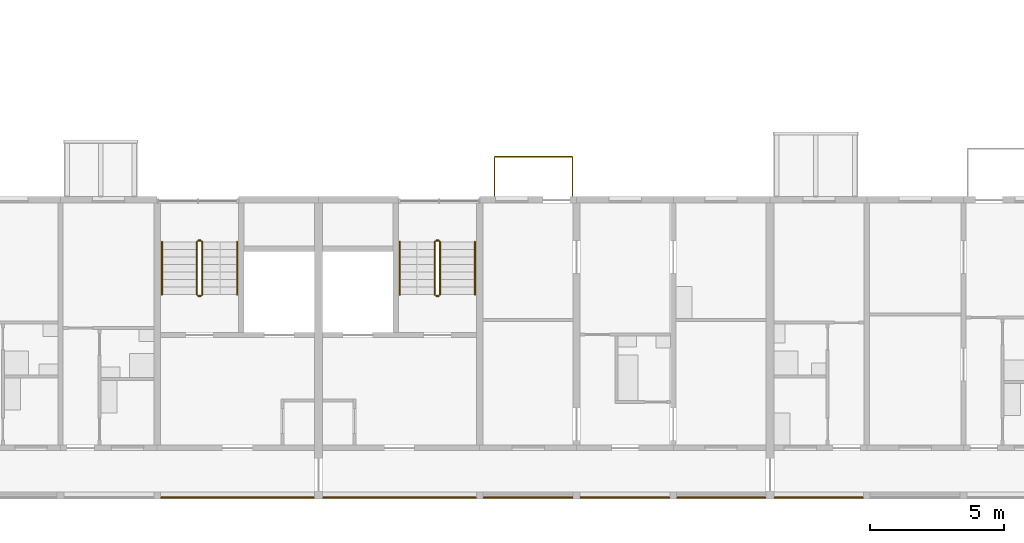
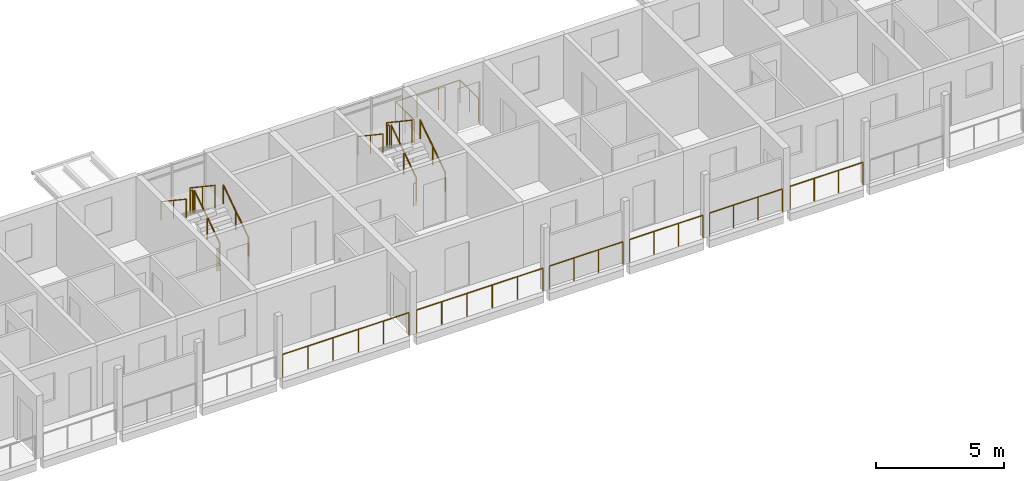
# One storey, part 72 of 93: 19 railings.
"""IFC4 building model written with IfcOpenShell, lengths in metres."""

from ifc_helpers import new_model, si_unit, direction, frame, origin, origin_2d, place, context, subcontext, project, spatial, circle, extrude, material, type_object, element, save


model = new_model("IFC4")

# Units and contexts
model_context = context("Model", 3, precision=1e-05, world=origin(), true_north=direction((0.0, 1.0)))
body_context = subcontext(model_context, "Body", "Model", "MODEL_VIEW")
ifc_project = project(units=[si_unit("LENGTHUNIT", "METRE"), si_unit("AREAUNIT", "SQUARE_METRE"), si_unit("VOLUMEUNIT", "CUBIC_METRE"), si_unit("PLANEANGLEUNIT", "RADIAN"), si_unit("MASSUNIT", "GRAM", prefix="KILO")], contexts=[model_context])

# Site, building, storey
site_placement = place(None, origin())
site = spatial("IfcSite", under=ifc_project, at=site_placement, CompositionType="ELEMENT")
building_placement = place(site_placement, origin())
building = spatial("IfcBuilding", under=site, at=building_placement, Name="Ridgestep Commons", CompositionType="ELEMENT")
storey_placement = place(building_placement, frame((0.0, 0.0, 18.0)))
storey = spatial("IfcBuildingStorey", under=building, at=storey_placement, Name="L06", CompositionType="ELEMENT", Elevation=18.0)

# Railings
ifc_material_1 = material(Name="Structural steel S355JR", Category="steel")
railing_type_1 = type_object("IfcRailingType", Name="Guard 1100", PredefinedType="GUARDRAIL", material=ifc_material_1)
railing_1_placement = place(storey_placement, frame((39.74609375, 11.800048828125, 0.0)))
element("IfcRailing", 1, at=railing_1_placement, inside=storey, type_object=railing_type_1, Name="Gallery guard A 06.8", PredefinedType="GUARDRAIL", context=body_context, shape_type="SweptSolid", body=[
    extrude(circle(Radius=0.02392578125, at=origin_2d()), frame((0.0, 0.0, 1.076171875), z_axis=(1.0, 0.0, 0.0), x_axis=(0.0, 1.0, 0.0)), (0.0, 0.0, 1.0), 5.682861328125),
    extrude(circle(Radius=0.02099609375, at=origin_2d()), origin(), (0.0, 0.0, 1.0), 1.052001953125),
    extrude(circle(Radius=0.02099609375, at=origin_2d()), frame((1.136474609375, 0.0, 0.0)), (0.0, 0.0, 1.0), 1.052001953125),
    extrude(circle(Radius=0.02099609375, at=origin_2d()), frame((2.273193359375, 0.0, 0.0)), (0.0, 0.0, 1.0), 1.052001953125),
    extrude(circle(Radius=0.02099609375, at=origin_2d()), frame((3.40966796875, 0.0, 0.0)), (0.0, 0.0, 1.0), 1.052001953125),
    extrude(circle(Radius=0.02099609375, at=origin_2d()), frame((4.54638671875, 0.0, 0.0)), (0.0, 0.0, 1.0), 1.052001953125),
    extrude(circle(Radius=0.02099609375, at=origin_2d()), frame((5.682861328125, 0.0, 0.0)), (0.0, 0.0, 1.0), 1.052001953125),
])
railing_2_placement = place(storey_placement, frame((45.77099609375, 11.800048828125, 0.0)))
element("IfcRailing", 2, at=railing_2_placement, inside=storey, type_object=railing_type_1, Name="Gallery guard A 06.9", PredefinedType="GUARDRAIL", context=body_context, shape_type="SweptSolid", body=[
    extrude(circle(Radius=0.02392578125, at=origin_2d()), frame((0.0, 0.0, 1.076171875), z_axis=(1.0, 0.0, 0.0), x_axis=(0.0, 1.0, 0.0)), (0.0, 0.0, 1.0), 5.68310546875),
    extrude(circle(Radius=0.02099609375, at=origin_2d()), origin(), (0.0, 0.0, 1.0), 1.052001953125),
    extrude(circle(Radius=0.02099609375, at=origin_2d()), frame((1.13671875, 0.0, 0.0)), (0.0, 0.0, 1.0), 1.052001953125),
    extrude(circle(Radius=0.02099609375, at=origin_2d()), frame((2.273193359375, 0.0, 0.0)), (0.0, 0.0, 1.0), 1.052001953125),
    extrude(circle(Radius=0.02099609375, at=origin_2d()), frame((3.409912109375, 0.0, 0.0)), (0.0, 0.0, 1.0), 1.052001953125),
    extrude(circle(Radius=0.02099609375, at=origin_2d()), frame((4.54638671875, 0.0, 0.0)), (0.0, 0.0, 1.0), 1.052001953125),
    extrude(circle(Radius=0.02099609375, at=origin_2d()), frame((5.68310546875, 0.0, 0.0)), (0.0, 0.0, 1.0), 1.052001953125),
])
railing_3_placement = place(storey_placement, frame((51.74609375, 11.800048828125, 0.0)))
element("IfcRailing", 3, at=railing_3_placement, inside=storey, type_object=railing_type_1, Name="Gallery guard A 06.10", PredefinedType="GUARDRAIL", context=body_context, shape_type="SweptSolid", body=[
    extrude(circle(Radius=0.02392578125, at=origin_2d()), frame((0.0, 0.0, 1.076171875), z_axis=(1.0, 0.0, 0.0), x_axis=(0.0, 1.0, 0.0)), (0.0, 0.0, 1.0), 3.307861328125),
    extrude(circle(Radius=0.02099609375, at=origin_2d()), origin(), (0.0, 0.0, 1.0), 1.052001953125),
    extrude(circle(Radius=0.02099609375, at=origin_2d()), frame((1.1025390625, 0.0, 0.0)), (0.0, 0.0, 1.0), 1.052001953125),
    extrude(circle(Radius=0.02099609375, at=origin_2d()), frame((2.205322265625, 0.0, 0.0)), (0.0, 0.0, 1.0), 1.052001953125),
    extrude(circle(Radius=0.02099609375, at=origin_2d()), frame((3.307861328125, 0.0, 0.0)), (0.0, 0.0, 1.0), 1.052001953125),
])
railing_4_placement = place(storey_placement, frame((55.345947265625, 11.800048828125, 0.0)))
element("IfcRailing", 4, at=railing_4_placement, inside=storey, type_object=railing_type_1, Name="Gallery guard A 06.11", PredefinedType="GUARDRAIL", context=body_context, shape_type="SweptSolid", body=[
    extrude(circle(Radius=0.02392578125, at=origin_2d()), frame((0.0, 0.0, 1.076171875), z_axis=(1.0, 0.0, 0.0), x_axis=(0.0, 1.0, 0.0)), (0.0, 0.0, 1.0), 3.30810546875),
    extrude(circle(Radius=0.02099609375, at=origin_2d()), origin(), (0.0, 0.0, 1.0), 1.052001953125),
    extrude(circle(Radius=0.02099609375, at=origin_2d()), frame((1.102783203125, 0.0, 0.0)), (0.0, 0.0, 1.0), 1.052001953125),
    extrude(circle(Radius=0.02099609375, at=origin_2d()), frame((2.205322265625, 0.0, 0.0)), (0.0, 0.0, 1.0), 1.052001953125),
    extrude(circle(Radius=0.02099609375, at=origin_2d()), frame((3.30810546875, 0.0, 0.0)), (0.0, 0.0, 1.0), 1.052001953125),
])
for number, where, name in (
    (5, (58.946044921875, 11.800048828125, 0.0), "Gallery guard A 06.12"),
    (6, (62.571044921875, 11.800048828125, 0.0), "Gallery guard A 06.13"),
):
    element("IfcRailing", number, at=place(storey_placement, frame(where)), inside=storey, type_object=railing_type_1, Name=name, PredefinedType="GUARDRAIL", context=body_context, shape_type="SweptSolid", body=[
        extrude(circle(Radius=0.02392578125, at=origin_2d()), frame((0.0, 0.0, 1.076171875), z_axis=(1.0, 0.0, 0.0), x_axis=(0.0, 1.0, 0.0)), (0.0, 0.0, 1.0), 3.282958984375),
        extrude(circle(Radius=0.02099609375, at=origin_2d()), origin(), (0.0, 0.0, 1.0), 1.052001953125),
        extrude(circle(Radius=0.02099609375, at=origin_2d()), frame((1.09423828125, 0.0, 0.0)), (0.0, 0.0, 1.0), 1.052001953125),
        extrude(circle(Radius=0.02099609375, at=origin_2d()), frame((2.188720703125, 0.0, 0.0)), (0.0, 0.0, 1.0), 1.052001953125),
        extrude(circle(Radius=0.02099609375, at=origin_2d()), frame((3.282958984375, 0.0, 0.0)), (0.0, 0.0, 1.0), 1.052001953125),
    ])
ifc_material_2 = material(Name="Structural steel S355JR", Category="steel")
railing_type_2 = type_object("IfcRailingType", Name="Stair guard 1100", PredefinedType="GUARDRAIL", material=ifc_material_2)
railing_5_placement = place(storey_placement, frame((41.27490234375, 19.35009765625, 0.1875)))
element("IfcRailing", 7, at=railing_5_placement, inside=storey, type_object=railing_type_2, Name="L06 A2C stair guard 1", PredefinedType="GUARDRAIL", context=body_context, shape_type="SweptSolid", body=[
    extrude(circle(Radius=0.02392578125, at=origin_2d()), frame((0.0, 0.0, 1.076171875), z_axis=(0.0, 0.830902050051, 0.556418712142), x_axis=(-1.0, 0.0, 0.0)), (0.0, 0.0, 1.0), 2.35888671875),
    extrude(circle(Radius=0.02099609375, at=origin_2d()), origin(), (0.0, 0.0, 1.0), 1.052001953125),
    extrude(circle(Radius=0.02099609375, at=origin_2d()), frame((0.0, 0.97998046875, 0.65625)), (0.0, 0.0, 1.0), 1.052001953125),
    extrude(circle(Radius=0.02099609375, at=origin_2d()), frame((0.0, 1.9599609375, 1.3125)), (0.0, 0.0, 1.0), 1.052001953125),
])
railing_6_placement = place(storey_placement, frame((41.22509765625, 21.360107421875, 1.5)))
element("IfcRailing", 8, at=railing_6_placement, inside=storey, type_object=railing_type_2, Name="L06 A2C stair guard 2", PredefinedType="GUARDRAIL", context=body_context, shape_type="SweptSolid", body=[
    extrude(circle(Radius=0.02392578125, at=origin_2d()), frame((0.0, 0.0, 1.076171875), z_axis=(-1.0, 0.0, 0.0), x_axis=(0.0, -1.0, 0.0)), (0.0, 0.0, 1.0), 0.10009765625),
    extrude(circle(Radius=0.02099609375, at=origin_2d()), origin(), (0.0, 0.0, 1.0), 1.052001953125),
    extrude(circle(Radius=0.02099609375, at=origin_2d()), frame((-0.10009765625, 0.0, 0.0)), (0.0, 0.0, 1.0), 1.052001953125),
])
railing_7_placement = place(storey_placement, frame((41.074951171875, 21.31005859375, 1.6875)))
element("IfcRailing", 9, at=railing_7_placement, inside=storey, type_object=railing_type_2, Name="L06 A2C stair guard 3", PredefinedType="GUARDRAIL", context=body_context, shape_type="SweptSolid", body=[
    extrude(circle(Radius=0.02392578125, at=origin_2d()), frame((0.0, 0.0, 1.076171875), z_axis=(0.0, -0.830902050051, 0.556418712142), x_axis=(1.0, 0.0, 0.0)), (0.0, 0.0, 1.0), 2.35888671875),
    extrude(circle(Radius=0.02099609375, at=origin_2d()), origin(), (0.0, 0.0, 1.0), 1.052001953125),
    extrude(circle(Radius=0.02099609375, at=origin_2d()), frame((0.0, -0.97998046875, 0.65625)), (0.0, 0.0, 1.0), 1.052001953125),
    extrude(circle(Radius=0.02099609375, at=origin_2d()), frame((0.0, -1.9599609375, 1.3125)), (0.0, 0.0, 1.0), 1.052001953125),
])
railing_8_placement = place(storey_placement, frame((41.22509765625, 19.300048828125, 0.0)))
element("IfcRailing", 10, at=railing_8_placement, inside=storey, type_object=railing_type_2, Name="L06 A2C stair guard 4", PredefinedType="GUARDRAIL", context=body_context, shape_type="SweptSolid", body=[
    extrude(circle(Radius=0.02392578125, at=origin_2d()), frame((0.0, 0.0, 1.076171875), z_axis=(-1.0, 0.0, 0.0), x_axis=(0.0, -1.0, 0.0)), (0.0, 0.0, 1.0), 0.10009765625),
    extrude(circle(Radius=0.02099609375, at=origin_2d()), origin(), (0.0, 0.0, 1.0), 1.052001953125),
    extrude(circle(Radius=0.02099609375, at=origin_2d()), frame((-0.10009765625, 0.0, 0.0)), (0.0, 0.0, 1.0), 1.052001953125),
])
railing_9_placement = place(storey_placement, frame((50.125, 19.35009765625, 0.1875)))
element("IfcRailing", 11, at=railing_9_placement, inside=storey, type_object=railing_type_2, Name="L06 A3C stair guard 1", PredefinedType="GUARDRAIL", context=body_context, shape_type="SweptSolid", body=[
    extrude(circle(Radius=0.02392578125, at=origin_2d()), frame((0.0, 0.0, 1.076171875), z_axis=(0.0, 0.830902050051, 0.556418712142), x_axis=(-1.0, 0.0, 0.0)), (0.0, 0.0, 1.0), 2.35888671875),
    extrude(circle(Radius=0.02099609375, at=origin_2d()), origin(), (0.0, 0.0, 1.0), 1.052001953125),
    extrude(circle(Radius=0.02099609375, at=origin_2d()), frame((0.0, 0.97998046875, 0.65625)), (0.0, 0.0, 1.0), 1.052001953125),
    extrude(circle(Radius=0.02099609375, at=origin_2d()), frame((0.0, 1.9599609375, 1.3125)), (0.0, 0.0, 1.0), 1.052001953125),
])
railing_10_placement = place(storey_placement, frame((50.074951171875, 21.360107421875, 1.5)))
element("IfcRailing", 12, at=railing_10_placement, inside=storey, type_object=railing_type_2, Name="L06 A3C stair guard 2", PredefinedType="GUARDRAIL", context=body_context, shape_type="SweptSolid", body=[
    extrude(circle(Radius=0.02392578125, at=origin_2d()), frame((0.0, 0.0, 1.076171875), z_axis=(-1.0, 0.0, 0.0), x_axis=(0.0, -1.0, 0.0)), (0.0, 0.0, 1.0), 0.099853515625),
    extrude(circle(Radius=0.02099609375, at=origin_2d()), origin(), (0.0, 0.0, 1.0), 1.052001953125),
    extrude(circle(Radius=0.02099609375, at=origin_2d()), frame((-0.099853515625, 0.0, 0.0)), (0.0, 0.0, 1.0), 1.052001953125),
])
railing_11_placement = place(storey_placement, frame((49.925048828125, 21.31005859375, 1.6875)))
element("IfcRailing", 13, at=railing_11_placement, inside=storey, type_object=railing_type_2, Name="L06 A3C stair guard 3", PredefinedType="GUARDRAIL", context=body_context, shape_type="SweptSolid", body=[
    extrude(circle(Radius=0.02392578125, at=origin_2d()), frame((0.0, 0.0, 1.076171875), z_axis=(0.0, -0.830902050051, 0.556418712142), x_axis=(1.0, 0.0, 0.0)), (0.0, 0.0, 1.0), 2.35888671875),
    extrude(circle(Radius=0.02099609375, at=origin_2d()), origin(), (0.0, 0.0, 1.0), 1.052001953125),
    extrude(circle(Radius=0.02099609375, at=origin_2d()), frame((0.0, -0.97998046875, 0.65625)), (0.0, 0.0, 1.0), 1.052001953125),
    extrude(circle(Radius=0.02099609375, at=origin_2d()), frame((0.0, -1.9599609375, 1.3125)), (0.0, 0.0, 1.0), 1.052001953125),
])
railing_12_placement = place(storey_placement, frame((50.074951171875, 19.300048828125, 0.0)))
element("IfcRailing", 14, at=railing_12_placement, inside=storey, type_object=railing_type_2, Name="L06 A3C stair guard 4", PredefinedType="GUARDRAIL", context=body_context, shape_type="SweptSolid", body=[
    extrude(circle(Radius=0.02392578125, at=origin_2d()), frame((0.0, 0.0, 1.076171875), z_axis=(-1.0, 0.0, 0.0), x_axis=(0.0, -1.0, 0.0)), (0.0, 0.0, 1.0), 0.099853515625),
    extrude(circle(Radius=0.02099609375, at=origin_2d()), origin(), (0.0, 0.0, 1.0), 1.052001953125),
    extrude(circle(Radius=0.02099609375, at=origin_2d()), frame((-0.099853515625, 0.0, 0.0)), (0.0, 0.0, 1.0), 1.052001953125),
])
ifc_material_3 = material(Name="Structural steel S355JR", Category="steel")
railing_type_3 = type_object("IfcRailingType", Name="Stair handrail 900", PredefinedType="HANDRAIL", material=ifc_material_3)
railing_13_placement = place(storey_placement, frame((42.574951171875, 19.35009765625, 0.1875)))
element("IfcRailing", 15, at=railing_13_placement, inside=storey, type_object=railing_type_3, Name="L06 A2C stair handrail 1", PredefinedType="HANDRAIL", context=body_context, shape_type="SweptSolid", body=[
    extrude(circle(Radius=0.02392578125, at=origin_2d()), frame((0.0, 0.0, 0.8759765625), z_axis=(0.0, 0.830902050051, 0.556418712142), x_axis=(-1.0, 0.0, 0.0)), (0.0, 0.0, 1.0), 2.35888671875),
    extrude(circle(Radius=0.02099609375, at=origin_2d()), origin(), (0.0, 0.0, 1.0), 0.851806640625),
    extrude(circle(Radius=0.02099609375, at=origin_2d()), frame((0.0, 0.97998046875, 0.65625)), (0.0, 0.0, 1.0), 0.851806640625),
    extrude(circle(Radius=0.02099609375, at=origin_2d()), frame((0.0, 1.9599609375, 1.3125)), (0.0, 0.0, 1.0), 0.851806640625),
])
railing_14_placement = place(storey_placement, frame((39.77490234375, 21.31005859375, 1.6875)))
element("IfcRailing", 16, at=railing_14_placement, inside=storey, type_object=railing_type_3, Name="L06 A2C stair handrail 2", PredefinedType="HANDRAIL", context=body_context, shape_type="SweptSolid", body=[
    extrude(circle(Radius=0.02392578125, at=origin_2d()), frame((0.0, 0.0, 0.8759765625), z_axis=(0.0, -0.830902050051, 0.556418712142), x_axis=(1.0, 0.0, 0.0)), (0.0, 0.0, 1.0), 2.35888671875),
    extrude(circle(Radius=0.02099609375, at=origin_2d()), origin(), (0.0, 0.0, 1.0), 0.851806640625),
    extrude(circle(Radius=0.02099609375, at=origin_2d()), frame((0.0, -0.97998046875, 0.65625)), (0.0, 0.0, 1.0), 0.851806640625),
    extrude(circle(Radius=0.02099609375, at=origin_2d()), frame((0.0, -1.9599609375, 1.3125)), (0.0, 0.0, 1.0), 0.851806640625),
])
railing_15_placement = place(storey_placement, frame((51.425048828125, 19.35009765625, 0.1875)))
element("IfcRailing", 17, at=railing_15_placement, inside=storey, type_object=railing_type_3, Name="L06 A3C stair handrail 1", PredefinedType="HANDRAIL", context=body_context, shape_type="SweptSolid", body=[
    extrude(circle(Radius=0.02392578125, at=origin_2d()), frame((0.0, 0.0, 0.8759765625), z_axis=(0.0, 0.830902050051, 0.556418712142), x_axis=(-1.0, 0.0, 0.0)), (0.0, 0.0, 1.0), 2.35888671875),
    extrude(circle(Radius=0.02099609375, at=origin_2d()), origin(), (0.0, 0.0, 1.0), 0.851806640625),
    extrude(circle(Radius=0.02099609375, at=origin_2d()), frame((0.0, 0.97998046875, 0.65625)), (0.0, 0.0, 1.0), 0.851806640625),
    extrude(circle(Radius=0.02099609375, at=origin_2d()), frame((0.0, 1.9599609375, 1.3125)), (0.0, 0.0, 1.0), 0.851806640625),
])
railing_16_placement = place(storey_placement, frame((48.625, 21.31005859375, 1.6875)))
element("IfcRailing", 18, at=railing_16_placement, inside=storey, type_object=railing_type_3, Name="L06 A3C stair handrail 2", PredefinedType="HANDRAIL", context=body_context, shape_type="SweptSolid", body=[
    extrude(circle(Radius=0.02392578125, at=origin_2d()), frame((0.0, 0.0, 0.8759765625), z_axis=(0.0, -0.830902050051, 0.556418712142), x_axis=(1.0, 0.0, 0.0)), (0.0, 0.0, 1.0), 2.35888671875),
    extrude(circle(Radius=0.02099609375, at=origin_2d()), origin(), (0.0, 0.0, 1.0), 0.851806640625),
    extrude(circle(Radius=0.02099609375, at=origin_2d()), frame((0.0, -0.97998046875, 0.65625)), (0.0, 0.0, 1.0), 0.851806640625),
    extrude(circle(Radius=0.02099609375, at=origin_2d()), frame((0.0, -1.9599609375, 1.3125)), (0.0, 0.0, 1.0), 0.851806640625),
])
ifc_material_4 = material(Name="Weathering steel S355J2W", Category="steel")
railing_type_4 = type_object("IfcRailingType", Name="Tray guard 1100", PredefinedType="GUARDRAIL", material=ifc_material_4)
railing_17_placement = place(storey_placement, frame((52.15087890625, 23.02099609375, 0.0)))
element("IfcRailing", 19, at=railing_17_placement, inside=storey, type_object=railing_type_4, Name="Tray guard A3T3-06", PredefinedType="GUARDRAIL", context=body_context, shape_type="SweptSolid", body=[
    extrude(circle(Radius=0.02392578125, at=origin_2d()), frame((0.0, 0.0, 1.076171875), z_axis=(0.0, 1.0, 0.0), x_axis=(-1.0, 0.0, 0.0)), (0.0, 0.0, 1.0), 1.4580078125),
    extrude(circle(Radius=0.02392578125, at=origin_2d()), frame((0.0, 1.4580078125, 1.076171875), z_axis=(1.0, 0.0, 0.0), x_axis=(0.0, 1.0, 0.0)), (0.0, 0.0, 1.0), 2.898193359375),
    extrude(circle(Radius=0.02392578125, at=origin_2d()), frame((2.898193359375, 1.4580078125, 1.076171875), z_axis=(0.0, -1.0, 0.0), x_axis=(1.0, 0.0, 0.0)), (0.0, 0.0, 1.0), 1.4580078125),
    extrude(circle(Radius=0.02099609375, at=origin_2d()), origin(), (0.0, 0.0, 1.0), 1.052001953125),
    extrude(circle(Radius=0.02099609375, at=origin_2d()), frame((0.0, 0.72900390625, 0.0)), (0.0, 0.0, 1.0), 1.052001953125),
    extrude(circle(Radius=0.02099609375, at=origin_2d()), frame((0.0, 1.4580078125, 0.0)), (0.0, 0.0, 1.0), 1.052001953125),
    extrude(circle(Radius=0.02099609375, at=origin_2d()), frame((0.966064453125, 1.4580078125, 0.0)), (0.0, 0.0, 1.0), 1.052001953125),
    extrude(circle(Radius=0.02099609375, at=origin_2d()), frame((1.93212890625, 1.4580078125, 0.0)), (0.0, 0.0, 1.0), 1.052001953125),
    extrude(circle(Radius=0.02099609375, at=origin_2d()), frame((2.898193359375, 1.4580078125, 0.0)), (0.0, 0.0, 1.0), 1.052001953125),
    extrude(circle(Radius=0.02099609375, at=origin_2d()), frame((2.898193359375, 0.72900390625, 0.0)), (0.0, 0.0, 1.0), 1.052001953125),
    extrude(circle(Radius=0.02099609375, at=origin_2d()), frame((2.898193359375, 0.0, 0.0)), (0.0, 0.0, 1.0), 1.052001953125),
])

save(model, "model.ifc")
